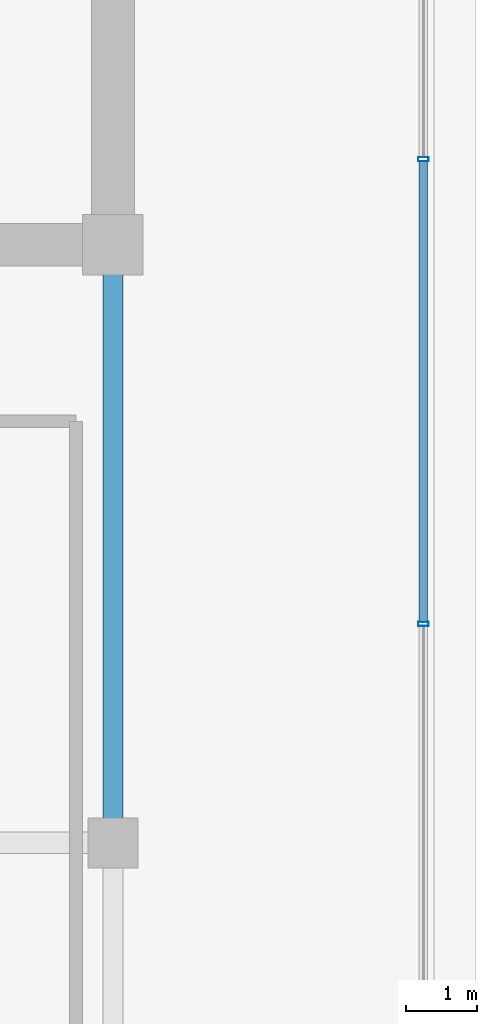
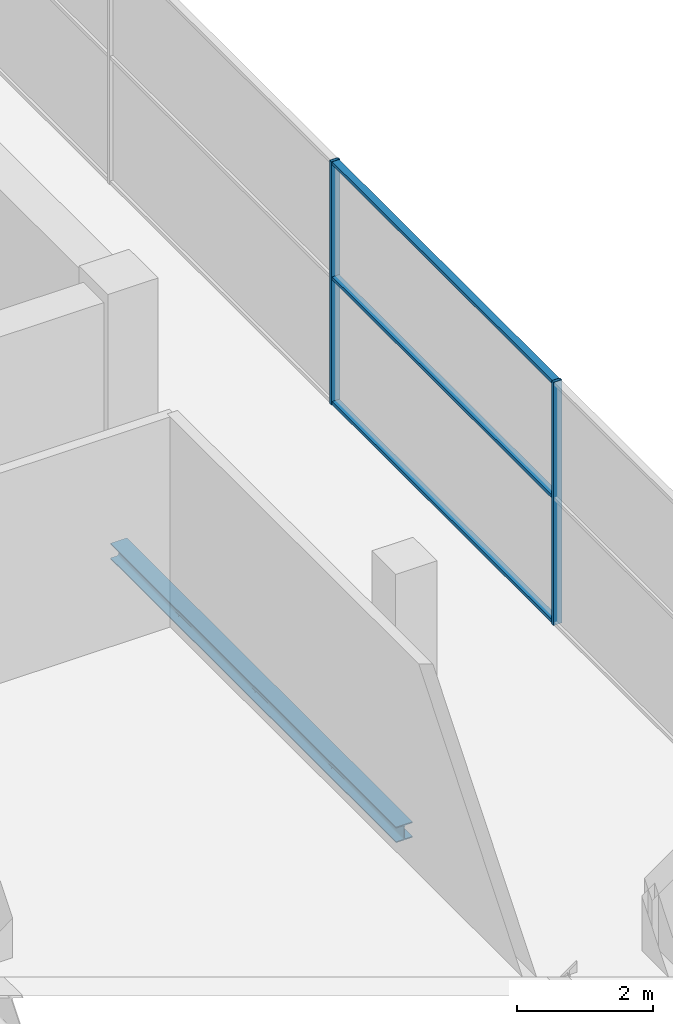
# One storey, part 16 of 26: 5 members, 1 beam, 1 element without a shape of its own.
"""IFC4 building model written with IfcOpenShell, lengths in metres."""

from ifc_helpers import new_model, si_unit, direction, frame, origin, origin_2d, place, context, subcontext, project, spatial, hollow_rectangle, i_section, extrude, source, transform, mapped, material, layer, layer_set, material_profile, profile_set, type_object, element, aggregate, save


model = new_model("IFC4")

# Units and contexts
model_context = context("Model", 3, precision=1e-05, world=origin(), true_north=direction((0.0, 1.0)))
body_context = subcontext(model_context, "Body", "Model", "MODEL_VIEW")
ifc_project = project(units=[si_unit("LENGTHUNIT", "METRE"), si_unit("AREAUNIT", "SQUARE_METRE"), si_unit("VOLUMEUNIT", "CUBIC_METRE"), si_unit("PLANEANGLEUNIT", "RADIAN"), si_unit("MASSUNIT", "GRAM", prefix="KILO")], contexts=[model_context])

# Site, building, storey
site_placement = place(None, origin())
site = spatial("IfcSite", under=ifc_project, at=site_placement, CompositionType="ELEMENT")
building_placement = place(site_placement, origin())
building = spatial("IfcBuilding", under=site, at=building_placement, Name="Zarnakvel Exchange Tower", CompositionType="ELEMENT")
storey_placement = place(building_placement, frame((0.0, 0.0, 285.39990234375)))
storey = spatial("IfcBuildingStorey", under=building, at=storey_placement, Name="Crown L80", CompositionType="ELEMENT", Elevation=285.39990234375)

# Beam
ifc_material_1 = material(Name="Steel S355", Category="steel")
ifc_material_profile_1 = material_profile(ifc_material_1, i_section(OverallWidth=0.280029296875, OverallDepth=0.280029296875, WebThickness=0.010498046875, FlangeThickness=0.01806640625, FilletRadius=0.02392578125, at=origin_2d()))
ifc_profile_set_1 = profile_set([ifc_material_profile_1], Name="Steel S355")
beam_type = type_object("IfcBeamType", Name="SP-04", PredefinedType="SPANDREL", material=ifc_profile_set_1)
beam_placement = place(storey_placement, frame((14.39990234375, -9.60009765625, -0.35986328125), z_axis=(0.0, 1.0, 0.0), x_axis=(-1.0, 0.0, 0.0)))
element("IfcBeam", 1, at=beam_placement, inside=storey, type_object=beam_type, Name="Crown L80 Tower N-S Frame Beam", PredefinedType="SPANDREL", context=body_context, shape_type="SweptSolid", body=[
    extrude(i_section(OverallWidth=0.280029296875, OverallDepth=0.280029296875, WebThickness=0.010498046875, FlangeThickness=0.01806640625, FilletRadius=0.02392578125, at=origin_2d()), origin(), (0.0, 0.0, 1.0), 8.400146484375),
])

# Curtain wall, members
ifc_material_2 = material(Name="Architectural Bronze Anodised Aluminium", Category="aluminium")
ifc_layer = layer(ifc_material_2, 0.14990234375)
ifc_layer_set = layer_set([ifc_layer], Name="Architectural Bronze Anodised Aluminium")
curtain_wall_type = type_object("IfcCurtainWallType", Name="CW-07", PredefinedType="NOTDEFINED", material=ifc_layer_set)
curtain_wall_placement = place(storey_placement, origin())
curtain_wall = element("IfcCurtainWall", 2, at=curtain_wall_placement, inside=storey, type_object=curtain_wall_type, Name="Crown L80 Curtain Wall CW-Crown L80-E (CW-07)", PredefinedType="NOTDEFINED")
ifc_material_profile_2 = material_profile(ifc_material_2, hollow_rectangle(XDim=0.14990234375, YDim=0.06005859375, WallThickness=0.00390625, at=origin_2d()))
ifc_profile_set_2 = profile_set([ifc_material_profile_2], Name="Architectural Bronze Anodised Aluminium")
member_type_1 = type_object("IfcMemberType", Name="CWM-07", PredefinedType="MULLION", material=ifc_profile_set_2)
shared_shape_1 = source(origin(), body_context, "Body", "SweptSolid", [
    extrude(hollow_rectangle(XDim=0.14990234375, YDim=0.06005859375, WallThickness=0.00390625, at=origin_2d()), origin(), (0.0, 0.0, 1.0), 4.360107421875),
])
member_1_placement = place(storey_placement, frame((18.760009765625, -6.52490234375, 0.0), z_axis=(0.0, 0.0, 1.0), x_axis=(-1.0, 0.0, 0.0)))
member_1 = element("IfcMember", 3, at=member_1_placement, type_object=member_type_1, Name="CW-07 mullion 2", PredefinedType="MULLION", context=body_context, shape_type="MappedRepresentation", body=[
    mapped(shared_shape_1, transform((0.0, 0.0, 0.0), x_axis=(1.0, 0.0, 0.0), y_axis=(0.0, 1.0, 0.0), z_axis=(0.0, 0.0, 1.0), scale=1.0)),
])
member_2_placement = place(storey_placement, frame((18.760009765625, 0.0, 0.0), z_axis=(0.0, 0.0, 1.0), x_axis=(-1.0, 0.0, 0.0)))
member_2 = element("IfcMember", 4, at=member_2_placement, type_object=member_type_1, Name="CW-07 mullion 3", PredefinedType="MULLION", context=body_context, shape_type="MappedRepresentation", body=[
    mapped(shared_shape_1, transform((0.0, 0.0, 0.0), x_axis=(1.0, 0.0, 0.0), y_axis=(0.0, 1.0, 0.0), z_axis=(0.0, 0.0, 1.0), scale=1.0)),
])
ifc_material_profile_3 = material_profile(ifc_material_2, hollow_rectangle(XDim=0.1201171875, YDim=0.06005859375, WallThickness=0.00390625, at=origin_2d()))
ifc_profile_set_3 = profile_set([ifc_material_profile_3], Name="Architectural Bronze Anodised Aluminium")
member_type_2 = type_object("IfcMemberType", Name="CWT-07", PredefinedType="USERDEFINED", material=ifc_profile_set_3)
shared_shape_2 = source(origin(), body_context, "Body", "SweptSolid", [
    extrude(hollow_rectangle(XDim=0.1201171875, YDim=0.06005859375, WallThickness=0.00390625, at=origin_2d()), origin(), (0.0, 0.0, 1.0), 6.465087890625),
])
member_3_placement = place(storey_placement, frame((18.760009765625, -6.4951171875, 0.030029296875), z_axis=(0.0, 1.0, 0.0), x_axis=(-1.0, 0.0, 0.0)))
member_3 = element("IfcMember", 5, at=member_3_placement, type_object=member_type_2, Name="CW-07 transom 2.1", ObjectType="TRANSOM", PredefinedType="USERDEFINED", context=body_context, shape_type="MappedRepresentation", body=[
    mapped(shared_shape_2, transform((0.0, 0.0, 0.0), x_axis=(1.0, 0.0, 0.0), y_axis=(0.0, 1.0, 0.0), z_axis=(0.0, 0.0, 1.0), scale=1.0)),
])
member_4_placement = place(storey_placement, frame((18.760009765625, -6.4951171875, 2.267333984375), z_axis=(0.0, 1.0, 0.0), x_axis=(-1.0, 0.0, 0.0)))
member_4 = element("IfcMember", 6, at=member_4_placement, type_object=member_type_2, Name="CW-07 transom 2.2", ObjectType="TRANSOM", PredefinedType="USERDEFINED", context=body_context, shape_type="MappedRepresentation", body=[
    mapped(shared_shape_2, transform((0.0, 0.0, 0.0), x_axis=(1.0, 0.0, 0.0), y_axis=(0.0, 1.0, 0.0), z_axis=(0.0, 0.0, 1.0), scale=1.0)),
])
member_5_placement = place(storey_placement, frame((18.760009765625, -6.4951171875, 4.330078125), z_axis=(0.0, 1.0, 0.0), x_axis=(-1.0, 0.0, 0.0)))
member_5 = element("IfcMember", 7, at=member_5_placement, type_object=member_type_2, Name="CW-07 transom 2.3", ObjectType="TRANSOM", PredefinedType="USERDEFINED", context=body_context, shape_type="MappedRepresentation", body=[
    mapped(shared_shape_2, transform((0.0, 0.0, 0.0), x_axis=(1.0, 0.0, 0.0), y_axis=(0.0, 1.0, 0.0), z_axis=(0.0, 0.0, 1.0), scale=1.0)),
])
aggregate(curtain_wall, [member_1, member_2, member_3, member_4, member_5])

save(model, "model.ifc")
